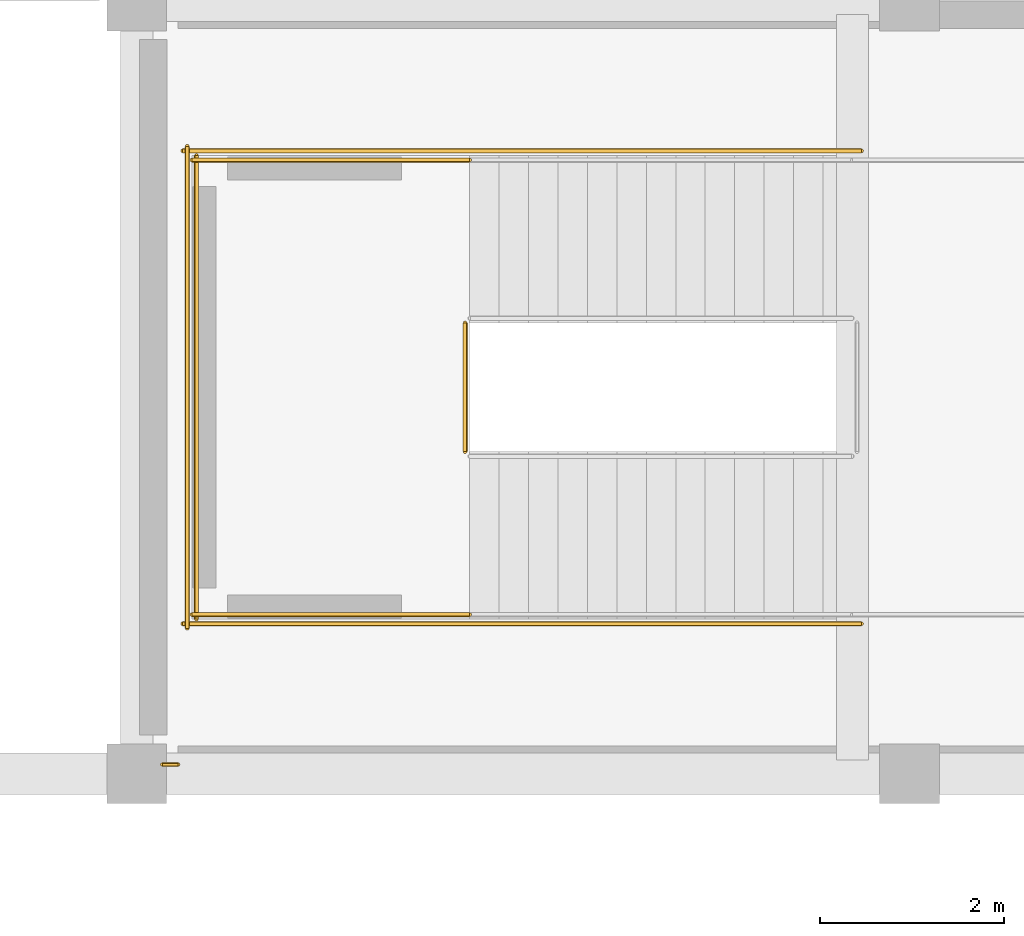
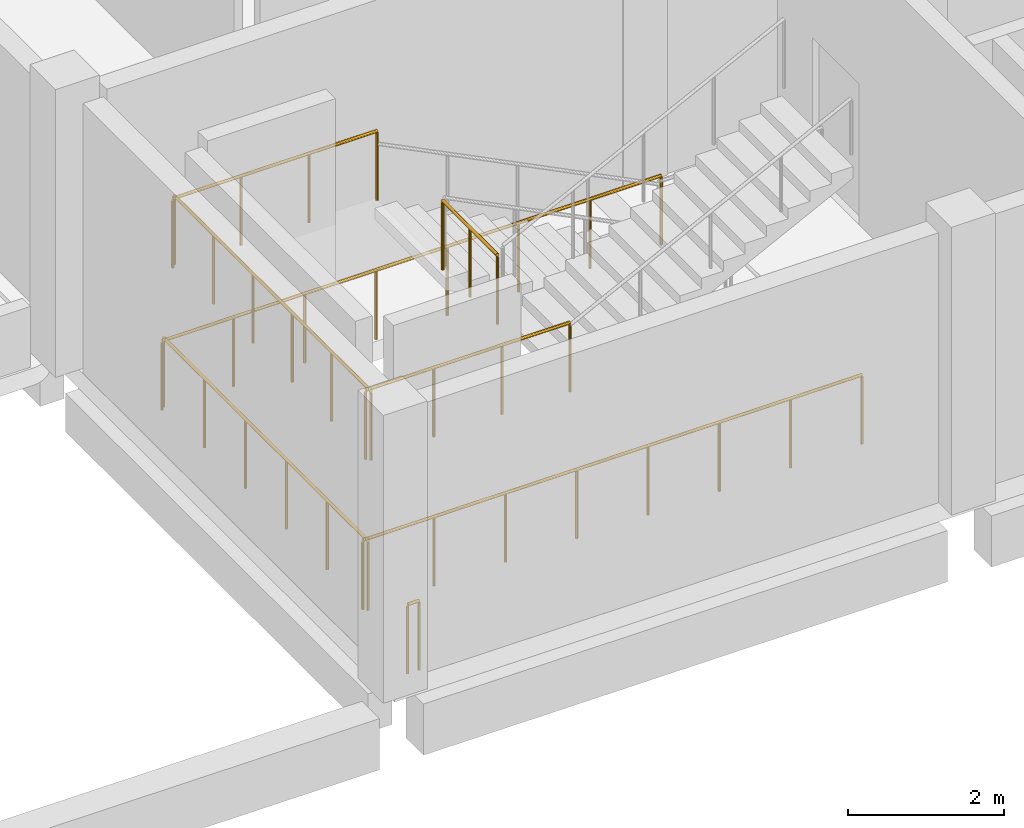
# One storey, part 38 of 46: 8 railings.
"""IFC4 building model written with IfcOpenShell, lengths in metres."""

from ifc_helpers import new_model, si_unit, derived_unit, direction, frame, origin, origin_2d, place, context, subcontext, project, spatial, circle, extrude, material, type_object, element, save


model = new_model("IFC4")

# Units and contexts
model_context = context("Model", 3, precision=1e-05, world=origin(), true_north=direction((0.0, 1.0)))
body_context = subcontext(model_context, "Body", "Model", "MODEL_VIEW")
ifc_project = project(units=[si_unit("LENGTHUNIT", "METRE"), si_unit("AREAUNIT", "SQUARE_METRE"), si_unit("VOLUMEUNIT", "CUBIC_METRE"), si_unit("PLANEANGLEUNIT", "RADIAN"), si_unit("MASSUNIT", "GRAM", prefix="KILO"), derived_unit("THERMALTRANSMITTANCEUNIT", [(si_unit("POWERUNIT", "WATT"), 1), (si_unit("LENGTHUNIT", "METRE"), -2), (si_unit("THERMODYNAMICTEMPERATUREUNIT", "KELVIN"), -1)])], contexts=[model_context])

# Site, building, storey
site_placement = place(None, origin())
site = spatial("IfcSite", under=ifc_project, at=site_placement, CompositionType="ELEMENT")
building_placement = place(site_placement, origin())
building = spatial("IfcBuilding", under=site, at=building_placement, Name="Elbkamm Science Centre", CompositionType="ELEMENT")
storey_placement = place(building_placement, frame((0.0, 0.0, 9.89990234375)))
storey = spatial("IfcBuildingStorey", under=building, at=storey_placement, Name="L02", CompositionType="ELEMENT", Elevation=9.89990234375)

# Railings
ifc_material = material(Name="Stainless steel EN 1.4401", Category="steel")
railing_type_1 = type_object("IfcRailingType", Name="RAIL-EXT-GUARD-1100", PredefinedType="GUARDRAIL", material=ifc_material)
railing_1_placement = place(storey_placement, frame((126.449951171875, 25.300048828125, 0.0)))
element("IfcRailing", 1, at=railing_1_placement, inside=storey, type_object=railing_type_1, Name="L02 Slab Edge Perimeter Guard 065", PredefinedType="GUARDRAIL", context=body_context, shape_type="SweptSolid", body=[
    extrude(circle(Radius=0.02392578125, at=origin_2d()), frame((0.0, 0.0, 1.078125), z_axis=(-1.0, 0.0, 0.0), x_axis=(0.0, -1.0, 0.0)), (0.0, 0.0, 1.0), 0.169921875),
    extrude(circle(Radius=0.02001953125, at=origin_2d()), origin(), (0.0, 0.0, 1.0), 1.048095703125),
    extrude(circle(Radius=0.02001953125, at=origin_2d()), frame((-0.169921875, 0.0, 0.0)), (0.0, 0.0, 1.0), 1.048095703125),
])
railing_type_2 = type_object("IfcRailingType", Name="RAIL-GUARD-1100", PredefinedType="GUARDRAIL", material=ifc_material)
railing_2_placement = place(storey_placement, frame((129.570068359375, 30.10009765625, 2.25)))
element("IfcRailing", 2, at=railing_2_placement, inside=storey, type_object=railing_type_2, Name="L02 ST-C4 stair guard 2", PredefinedType="GUARDRAIL", context=body_context, shape_type="SweptSolid", body=[
    extrude(circle(Radius=0.02392578125, at=origin_2d()), frame((0.0, 0.0, 1.078125), z_axis=(0.0, -1.0, 0.0), x_axis=(1.0, 0.0, 0.0)), (0.0, 0.0, 1.0), 1.400146484375),
    extrude(circle(Radius=0.02001953125, at=origin_2d()), origin(), (0.0, 0.0, 1.0), 1.048095703125),
    extrude(circle(Radius=0.02001953125, at=origin_2d()), frame((0.0, -0.7001953125, 0.0)), (0.0, 0.0, 1.0), 1.048095703125),
    extrude(circle(Radius=0.02001953125, at=origin_2d()), frame((0.0, -1.400146484375, 0.0)), (0.0, 0.0, 1.0), 1.048095703125),
])
for number, where, name in (
    (3, (129.6201171875, 31.8701171875, 2.25), "L02 ST-C4 stair guard 3"),
    (4, (129.6201171875, 26.929931640625, 2.25), "L02 ST-C4 stair guard 4"),
):
    element("IfcRailing", number, at=place(storey_placement, frame(where)), inside=storey, type_object=railing_type_2, Name=name, PredefinedType="GUARDRAIL", context=body_context, shape_type="SweptSolid", body=[
        extrude(circle(Radius=0.02392578125, at=origin_2d()), frame((0.0, 0.0, 1.078125), z_axis=(-1.0, 0.0, 0.0), x_axis=(0.0, -1.0, 0.0)), (0.0, 0.0, 1.0), 3.02001953125),
        extrude(circle(Radius=0.02001953125, at=origin_2d()), origin(), (0.0, 0.0, 1.0), 1.048095703125),
        extrude(circle(Radius=0.02001953125, at=origin_2d()), frame((-1.006591796875, 0.0, 0.0)), (0.0, 0.0, 1.0), 1.048095703125),
        extrude(circle(Radius=0.02001953125, at=origin_2d()), frame((-2.013427734375, 0.0, 0.0)), (0.0, 0.0, 1.0), 1.048095703125),
        extrude(circle(Radius=0.02001953125, at=origin_2d()), frame((-3.02001953125, 0.0, 0.0)), (0.0, 0.0, 1.0), 1.048095703125),
    ])
railing_3_placement = place(storey_placement, frame((126.64990234375, 31.919921875, 2.25)))
element("IfcRailing", 5, at=railing_3_placement, inside=storey, type_object=railing_type_2, Name="L02 ST-C4 stair guard 5", PredefinedType="GUARDRAIL", context=body_context, shape_type="SweptSolid", body=[
    extrude(circle(Radius=0.02392578125, at=origin_2d()), frame((0.0, 0.0, 1.078125), z_axis=(0.0, -1.0, 0.0), x_axis=(1.0, 0.0, 0.0)), (0.0, 0.0, 1.0), 5.0400390625),
    extrude(circle(Radius=0.02001953125, at=origin_2d()), origin(), (0.0, 0.0, 1.0), 1.048095703125),
    extrude(circle(Radius=0.02001953125, at=origin_2d()), frame((0.0, -1.008056640625, 0.0)), (0.0, 0.0, 1.0), 1.048095703125),
    extrude(circle(Radius=0.02001953125, at=origin_2d()), frame((0.0, -2.01611328125, 0.0)), (0.0, 0.0, 1.0), 1.048095703125),
    extrude(circle(Radius=0.02001953125, at=origin_2d()), frame((0.0, -3.02392578125, 0.0)), (0.0, 0.0, 1.0), 1.048095703125),
    extrude(circle(Radius=0.02001953125, at=origin_2d()), frame((0.0, -4.031982421875, 0.0)), (0.0, 0.0, 1.0), 1.048095703125),
    extrude(circle(Radius=0.02001953125, at=origin_2d()), frame((0.0, -5.0400390625, 0.0)), (0.0, 0.0, 1.0), 1.048095703125),
])
for number, where, name in (
    (6, (133.8798828125, 31.969970703125, 0.0), "L02 ST-C4 stair guard 10"),
    (7, (133.8798828125, 26.830078125, 0.0), "L02 ST-C4 stair guard 11"),
):
    element("IfcRailing", number, at=place(storey_placement, frame(where)), inside=storey, type_object=railing_type_2, Name=name, PredefinedType="GUARDRAIL", context=body_context, shape_type="SweptSolid", body=[
        extrude(circle(Radius=0.02392578125, at=origin_2d()), frame((0.0, 0.0, 1.078125), z_axis=(-1.0, 0.0, 0.0), x_axis=(0.0, -1.0, 0.0)), (0.0, 0.0, 1.0), 7.3798828125),
        extrude(circle(Radius=0.02001953125, at=origin_2d()), origin(), (0.0, 0.0, 1.0), 1.048095703125),
        extrude(circle(Radius=0.02001953125, at=origin_2d()), frame((-1.05419921875, 0.0, 0.0)), (0.0, 0.0, 1.0), 1.048095703125),
        extrude(circle(Radius=0.02001953125, at=origin_2d()), frame((-2.108642578125, 0.0, 0.0)), (0.0, 0.0, 1.0), 1.048095703125),
        extrude(circle(Radius=0.02001953125, at=origin_2d()), frame((-3.162841796875, 0.0, 0.0)), (0.0, 0.0, 1.0), 1.048095703125),
        extrude(circle(Radius=0.02001953125, at=origin_2d()), frame((-4.217041015625, 0.0, 0.0)), (0.0, 0.0, 1.0), 1.048095703125),
        extrude(circle(Radius=0.02001953125, at=origin_2d()), frame((-5.271240234375, 0.0, 0.0)), (0.0, 0.0, 1.0), 1.048095703125),
        extrude(circle(Radius=0.02001953125, at=origin_2d()), frame((-6.32568359375, 0.0, 0.0)), (0.0, 0.0, 1.0), 1.048095703125),
        extrude(circle(Radius=0.02001953125, at=origin_2d()), frame((-7.3798828125, 0.0, 0.0)), (0.0, 0.0, 1.0), 1.048095703125),
    ])
railing_4_placement = place(storey_placement, frame((126.550048828125, 32.02001953125, 0.0)))
element("IfcRailing", 8, at=railing_4_placement, inside=storey, type_object=railing_type_2, Name="L02 ST-C4 stair guard 12", PredefinedType="GUARDRAIL", context=body_context, shape_type="SweptSolid", body=[
    extrude(circle(Radius=0.02392578125, at=origin_2d()), frame((0.0, 0.0, 1.078125), z_axis=(0.0, -1.0, 0.0), x_axis=(1.0, 0.0, 0.0)), (0.0, 0.0, 1.0), 5.239990234375),
    extrude(circle(Radius=0.02001953125, at=origin_2d()), origin(), (0.0, 0.0, 1.0), 1.048095703125),
    extrude(circle(Radius=0.02001953125, at=origin_2d()), frame((0.0, -1.048095703125, 0.0)), (0.0, 0.0, 1.0), 1.048095703125),
    extrude(circle(Radius=0.02001953125, at=origin_2d()), frame((0.0, -2.095947265625, 0.0)), (0.0, 0.0, 1.0), 1.048095703125),
    extrude(circle(Radius=0.02001953125, at=origin_2d()), frame((0.0, -3.14404296875, 0.0)), (0.0, 0.0, 1.0), 1.048095703125),
    extrude(circle(Radius=0.02001953125, at=origin_2d()), frame((0.0, -4.19189453125, 0.0)), (0.0, 0.0, 1.0), 1.048095703125),
    extrude(circle(Radius=0.02001953125, at=origin_2d()), frame((0.0, -5.239990234375, 0.0)), (0.0, 0.0, 1.0), 1.048095703125),
])

save(model, "model.ifc")
